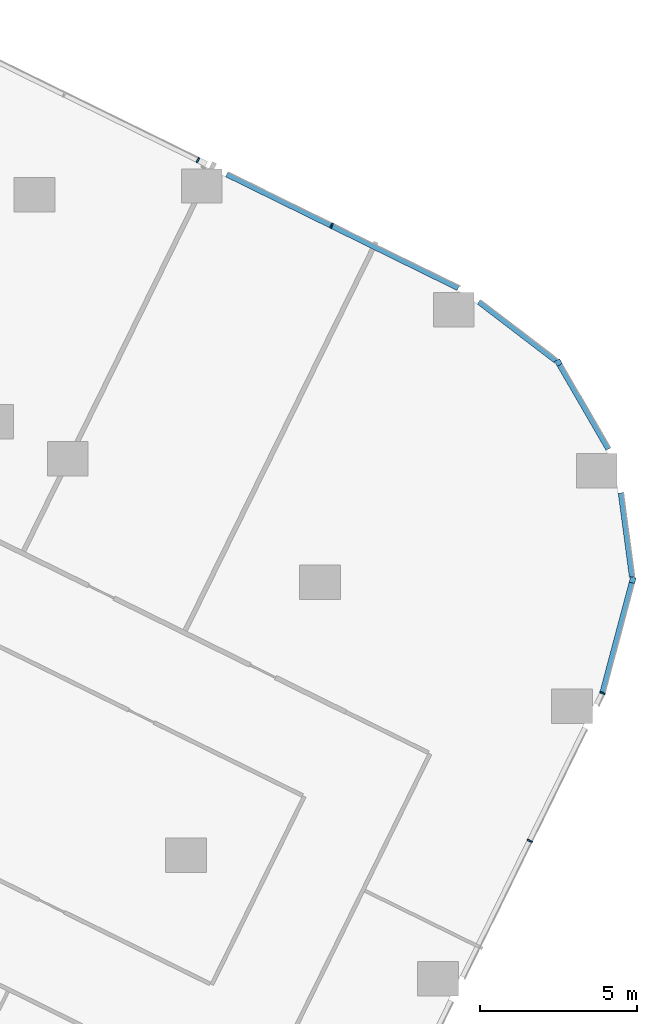
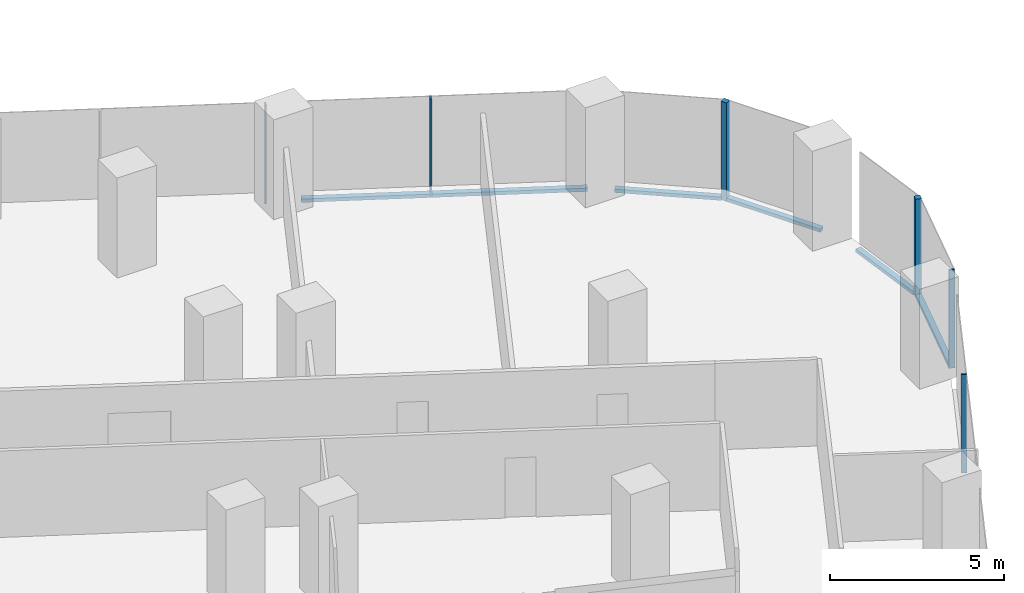
# One storey, part 12 of 38: 11 members, 6 elements without a shape of their own.
"""IFC4 building model written with IfcOpenShell, lengths in metres."""

from ifc_helpers import new_model, si_unit, direction, frame, origin, origin_2d, place, context, subcontext, project, spatial, rectangle, extrude, material, material_profile, profile_set, type_object, element, aggregate, save


model = new_model("IFC4")

# Units and contexts
model_context = context("Model", 3, precision=1e-05, world=origin(), true_north=direction((0.0, 1.0)))
body_context = subcontext(model_context, "Body", "Model", "MODEL_VIEW")
ifc_project = project(units=[si_unit("LENGTHUNIT", "METRE"), si_unit("AREAUNIT", "SQUARE_METRE"), si_unit("VOLUMEUNIT", "CUBIC_METRE"), si_unit("PLANEANGLEUNIT", "RADIAN"), si_unit("MASSUNIT", "GRAM", prefix="KILO")], contexts=[model_context])

# Site, building, storey
site_placement = place(None, origin())
site = spatial("IfcSite", under=ifc_project, at=site_placement, CompositionType="ELEMENT")
building_placement = place(site_placement, origin())
building = spatial("IfcBuilding", under=site, at=building_placement, Name="Orlundy Tower", CompositionType="ELEMENT")
storey_placement = place(building_placement, frame((0.0, 0.0, 69.300048828125)))
storey = spatial("IfcBuildingStorey", under=building, at=storey_placement, Name="L16", CompositionType="ELEMENT", Elevation=69.300048828125)

# Curtain wall, member
ifc_material_1 = material(Name="Aluminium bronze anodised", Category="aluminium")
curtain_wall_type = type_object("IfcCurtainWallType", Name="CW1 wall", PredefinedType="NOTDEFINED", material=ifc_material_1)
curtain_wall_1_placement = place(storey_placement, origin())
curtain_wall_1 = element("IfcCurtainWall", 1, at=curtain_wall_1_placement, inside=storey, type_object=curtain_wall_type, Name="CW1 run 020", PredefinedType="NOTDEFINED")
ifc_material_2 = material(Name="Aluminium bronze anodised", Category="aluminium")
ifc_material_profile_1 = material_profile(ifc_material_2, rectangle(XDim=0.179931640625, YDim=0.179931640625, at=origin_2d()), Name="CW1 corner post 180x180")
ifc_profile_set_1 = profile_set([ifc_material_profile_1], Name="Aluminium bronze anodised")
member_type_1 = type_object("IfcMemberType", Name="CW1 corner post 180x180", PredefinedType="MULLION", material=ifc_profile_set_1)
member_1_placement = place(storey_placement, frame((57.60595703125, -6.7314453125, -0.400146484375), z_axis=(0.0, 0.0, 1.0), x_axis=(0.865340088782, 0.501185126223, 0.0)))
member_1 = element("IfcMember", 2, at=member_1_placement, type_object=member_type_1, Name="CW1 mullion 58", PredefinedType="MULLION", context=body_context, shape_type="SweptSolid", body=[
    extrude(rectangle(XDim=0.179931640625, YDim=0.179931640625, at=origin_2d()), origin(), (0.0, 0.0, 1.0), 3.4501953125),
])

curtain_wall_2_placement = place(storey_placement, origin())
curtain_wall_2 = element("IfcCurtainWall", 3, at=curtain_wall_2_placement, inside=storey, type_object=curtain_wall_type, Name="CW1 run 022", PredefinedType="NOTDEFINED")
member_2_placement = place(storey_placement, frame((59.9755859375, -13.679931640625, -0.400146484375), z_axis=(0.0, 0.0, 1.0), x_axis=(0.966315487466, -0.257360406209, 0.0)))
member_2 = element("IfcMember", 4, at=member_2_placement, type_object=member_type_1, Name="CW1 mullion 60", PredefinedType="MULLION", context=body_context, shape_type="SweptSolid", body=[
    extrude(rectangle(XDim=0.179931640625, YDim=0.179931640625, at=origin_2d()), origin(), (0.0, 0.0, 1.0), 3.4501953125),
])

# Curtain wall, members
curtain_wall_3_placement = place(storey_placement, origin())
curtain_wall_3 = element("IfcCurtainWall", 5, at=curtain_wall_3_placement, inside=storey, type_object=curtain_wall_type, Name="CW1 run 018", PredefinedType="NOTDEFINED")
ifc_material_3 = material(Name="Aluminium bronze anodised", Category="aluminium")
ifc_material_profile_2 = material_profile(ifc_material_3, rectangle(XDim=0.179931640625, YDim=0.050048828125, at=origin_2d()), Name="CW1 mullion 50x180")
ifc_profile_set_2 = profile_set([ifc_material_profile_2], Name="Aluminium bronze anodised")
member_type_2 = type_object("IfcMemberType", Name="CW1 mullion 50x180", PredefinedType="MULLION", material=ifc_profile_set_2)
member_3_placement = place(storey_placement, frame((46.0966796875, -0.26513671875, -0.400146484375), z_axis=(0.0, 0.0, 1.0), x_axis=(0.440978180969, 0.897517823728, 0.0)))
member_3 = element("IfcMember", 6, at=member_3_placement, type_object=member_type_2, Name="CW1 mullion 55", PredefinedType="MULLION", context=body_context, shape_type="SweptSolid", body=[
    extrude(rectangle(XDim=0.179931640625, YDim=0.050048828125, at=origin_2d()), origin(), (0.0, 0.0, 1.0), 3.4501953125),
])
member_4_placement = place(storey_placement, frame((50.36474609375, -2.3623046875, -0.400146484375), z_axis=(0.0, 0.0, 1.0), x_axis=(0.440978180969, 0.897517823728, 0.0)))
member_4 = element("IfcMember", 7, at=member_4_placement, type_object=member_type_2, Name="CW1 mullion 56", PredefinedType="MULLION", context=body_context, shape_type="SweptSolid", body=[
    extrude(rectangle(XDim=0.179931640625, YDim=0.050048828125, at=origin_2d()), origin(), (0.0, 0.0, 1.0), 3.4501953125),
])

curtain_wall_4_placement = place(storey_placement, origin())
curtain_wall_4 = element("IfcCurtainWall", 8, at=curtain_wall_4_placement, inside=storey, type_object=curtain_wall_type, Name="CW1 run 023", PredefinedType="NOTDEFINED")
member_5_placement = place(storey_placement, frame((59.0146484375, -17.287841796875, -0.400146484375), z_axis=(0.0, 0.0, 1.0), x_axis=(0.936421410491, -0.350877388803, 0.0)))
member_5 = element("IfcMember", 9, at=member_5_placement, type_object=member_type_2, Name="CW1 mullion 61", PredefinedType="MULLION", context=body_context, shape_type="SweptSolid", body=[
    extrude(rectangle(XDim=0.179931640625, YDim=0.050048828125, at=origin_2d()), origin(), (0.0, 0.0, 1.0), 3.4501953125),
])
member_6_placement = place(storey_placement, frame((56.695556640625, -22.00732421875, -0.400146484375), z_axis=(0.0, 0.0, 1.0), x_axis=(0.897501090883, -0.441012235503, 0.0)))
member_6 = element("IfcMember", 10, at=member_6_placement, type_object=member_type_2, Name="CW1 mullion 62", PredefinedType="MULLION", context=body_context, shape_type="SweptSolid", body=[
    extrude(rectangle(XDim=0.179931640625, YDim=0.050048828125, at=origin_2d()), origin(), (0.0, 0.0, 1.0), 3.4501953125),
])
aggregate(curtain_wall_4, [member_5, member_6])

# Member
ifc_material_4 = material(Name="Aluminium bronze anodised", Category="aluminium")
ifc_material_profile_3 = material_profile(ifc_material_4, rectangle(XDim=0.179931640625, YDim=0.1201171875, at=origin_2d()), Name="CW1 transom 180x120")
ifc_profile_set_3 = profile_set([ifc_material_profile_3], Name="Aluminium bronze anodised")
member_type_3 = type_object("IfcMemberType", Name="CW1 transom 180x120", PredefinedType="USERDEFINED", material=ifc_profile_set_3)
member_7_placement = place(storey_placement, frame((47.02099609375, -0.719482421875, -0.340087890625), z_axis=(0.897519933419, -0.440973887113, 0.0), x_axis=(0.440973887113, 0.897519933419, 0.0)))
member_7 = element("IfcMember", 11, at=member_7_placement, type_object=member_type_3, Name="CW1 transom", ObjectType="TRANSOM", PredefinedType="USERDEFINED", context=body_context, shape_type="SweptSolid", body=[
    extrude(rectangle(XDim=0.179931640625, YDim=0.1201171875, at=origin_2d()), origin(), (0.0, 0.0, 1.0), 8.23095703125),
])

aggregate(curtain_wall_3, [member_3, member_4, member_7])

# Curtain wall, member
curtain_wall_5_placement = place(storey_placement, origin())
curtain_wall_5 = element("IfcCurtainWall", 12, at=curtain_wall_5_placement, inside=storey, type_object=curtain_wall_type, Name="CW1 run 019", PredefinedType="NOTDEFINED")
member_8_placement = place(storey_placement, frame((55.069091796875, -4.790771484375, -0.340087890625), z_axis=(0.79426830784, -0.60756716103, 0.0), x_axis=(0.60756716103, 0.79426830784, 0.0)))
member_8 = element("IfcMember", 13, at=member_8_placement, type_object=member_type_3, Name="CW1 transom", ObjectType="TRANSOM", PredefinedType="USERDEFINED", context=body_context, shape_type="SweptSolid", body=[
    extrude(rectangle(XDim=0.179931640625, YDim=0.1201171875, at=origin_2d()), origin(), (0.0, 0.0, 1.0), 3.096435546875),
])
aggregate(curtain_wall_5, [member_8])

# Member
member_9_placement = place(storey_placement, frame((57.651123046875, -6.809326171875, -0.340087890625), z_axis=(0.501166602946, -0.865350816774, 0.0), x_axis=(0.865350816774, 0.501166602946, 0.0)))
member_9 = element("IfcMember", 14, at=member_9_placement, type_object=member_type_3, Name="CW1 transom", ObjectType="TRANSOM", PredefinedType="USERDEFINED", context=body_context, shape_type="SweptSolid", body=[
    extrude(rectangle(XDim=0.179931640625, YDim=0.1201171875, at=origin_2d()), origin(), (0.0, 0.0, 1.0), 3.10107421875),
])

aggregate(curtain_wall_1, [member_1, member_9])

# Curtain wall, member
curtain_wall_6_placement = place(storey_placement, origin())
curtain_wall_6 = element("IfcCurtainWall", 15, at=curtain_wall_6_placement, inside=storey, type_object=curtain_wall_type, Name="CW1 run 021", PredefinedType="NOTDEFINED")
member_10_placement = place(storey_placement, frame((59.604736328125, -10.89306640625, -0.340087890625), z_axis=(0.131880872089, -0.991265572678, 0.0), x_axis=(0.991265572678, 0.131880872089, 0.0)))
member_10 = element("IfcMember", 16, at=member_10_placement, type_object=member_type_3, Name="CW1 transom", ObjectType="TRANSOM", PredefinedType="USERDEFINED", context=body_context, shape_type="SweptSolid", body=[
    extrude(rectangle(XDim=0.179931640625, YDim=0.1201171875, at=origin_2d()), origin(), (0.0, 0.0, 1.0), 2.7138671875),
])
aggregate(curtain_wall_6, [member_10])

# Member
member_11_placement = place(storey_placement, frame((59.952392578125, -13.766845703125, -0.340087890625), z_axis=(-0.257335078576, -0.966322232661, 0.0), x_axis=(0.966322232661, -0.257335078576, 0.0)))
member_11 = element("IfcMember", 17, at=member_11_placement, type_object=member_type_3, Name="CW1 transom", ObjectType="TRANSOM", PredefinedType="USERDEFINED", context=body_context, shape_type="SweptSolid", body=[
    extrude(rectangle(XDim=0.179931640625, YDim=0.1201171875, at=origin_2d()), origin(), (0.0, 0.0, 1.0), 3.618408203125),
])

aggregate(curtain_wall_2, [member_2, member_11])

save(model, "model.ifc")
